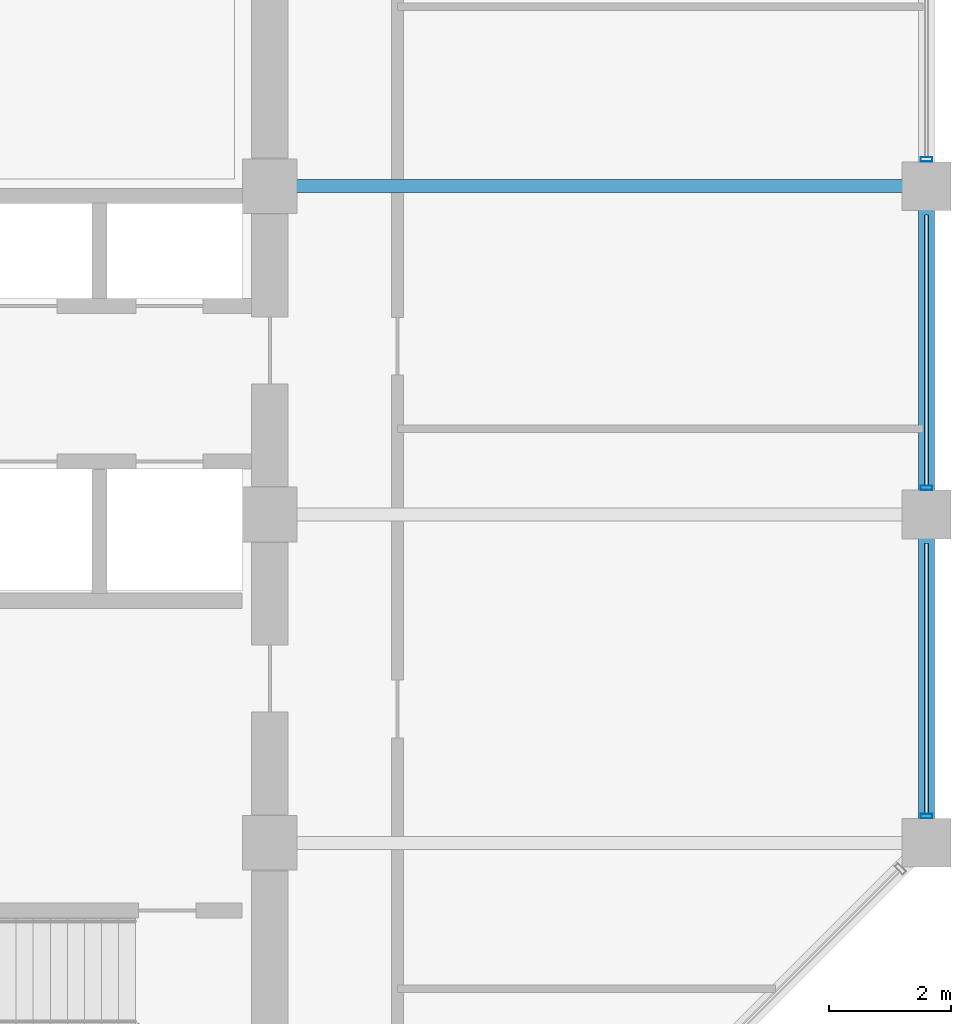
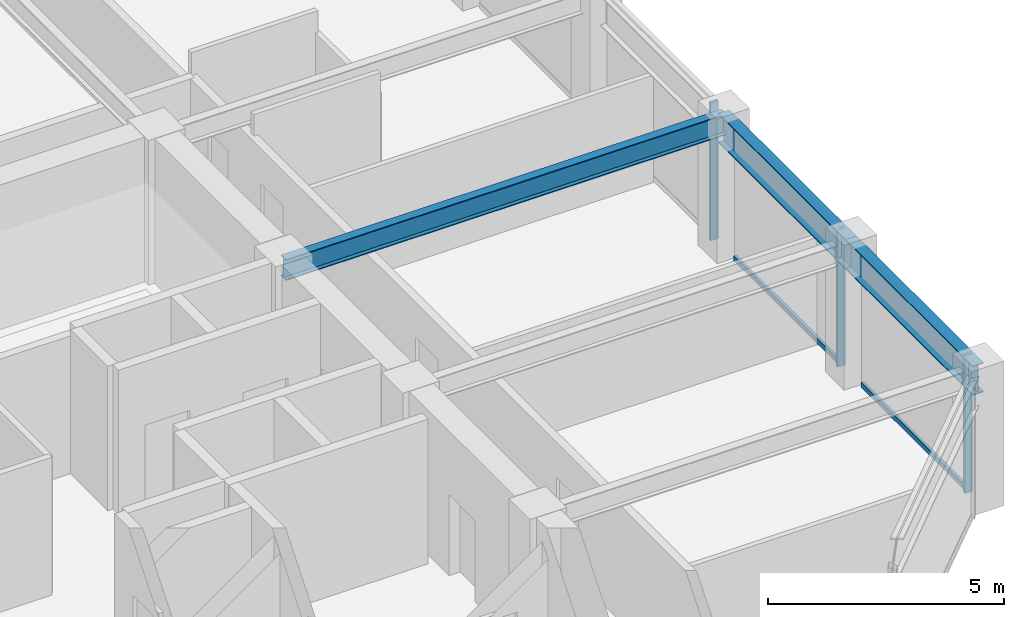
# One storey, part 14 of 32: 5 members, 3 beams, 1 element without a shape of its own.
"""IFC4 building model written with IfcOpenShell, lengths in metres."""

from ifc_helpers import new_model, si_unit, direction, frame, origin, origin_2d, place, context, subcontext, project, spatial, hollow_rectangle, i_section, extrude, material, layer, layer_set, material_profile, profile_set, type_object, element, aggregate, save


model = new_model("IFC4")

# Units and contexts
model_context = context("Model", 3, precision=1e-05, world=origin(), true_north=direction((0.0, 1.0)))
body_context = subcontext(model_context, "Body", "Model", "MODEL_VIEW")
ifc_project = project(units=[si_unit("LENGTHUNIT", "METRE"), si_unit("AREAUNIT", "SQUARE_METRE"), si_unit("VOLUMEUNIT", "CUBIC_METRE"), si_unit("PLANEANGLEUNIT", "RADIAN"), si_unit("MASSUNIT", "GRAM", prefix="KILO")], contexts=[model_context])

# Site, building, storey
site_placement = place(None, origin())
site = spatial("IfcSite", under=ifc_project, at=site_placement, CompositionType="ELEMENT")
building_placement = place(site_placement, origin())
building = spatial("IfcBuilding", under=site, at=building_placement, Name="Surkhivell Harbour Commons", CompositionType="ELEMENT")
storey_placement = place(building_placement, frame((0.0, 0.0, 223.5)))
storey = spatial("IfcBuildingStorey", under=building, at=storey_placement, Name="L58", CompositionType="ELEMENT", Elevation=223.5)

# Beams
ifc_material_1 = material(Name="Steel S355", Category="steel")
ifc_material_profile_1 = material_profile(ifc_material_1, i_section(OverallWidth=0.2119140625, OverallDepth=0.5439453125, WebThickness=0.0126953125, FlangeThickness=0.021240234375, at=origin_2d()), Name="UB533x210x122")
ifc_profile_set_1 = profile_set([ifc_material_profile_1], Name="Steel S355")
beam_type_1 = type_object("IfcBeamType", Name="BM-GRD-533A", PredefinedType="BEAM", material=ifc_profile_set_1)
beam_placement = place(storey_placement, frame((10.800048828125, 5.39990234375, 3.298095703125), z_axis=(1.0, 0.0, 0.0), x_axis=(0.0, 1.0, 0.0)))
element("IfcBeam", 1, at=beam_placement, inside=storey, type_object=beam_type_1, Name="L58 Floor Girder (10.8,5.4)", PredefinedType="BEAM", context=body_context, shape_type="SweptSolid", body=[
    extrude(i_section(OverallWidth=0.2119140625, OverallDepth=0.5439453125, WebThickness=0.0126953125, FlangeThickness=0.021240234375, at=origin_2d()), origin(), (0.0, 0.0, 1.0), 10.800048828125),
])
ifc_material_profile_2 = material_profile(ifc_material_1, i_section(OverallWidth=0.26806640625, OverallDepth=0.77001953125, WebThickness=0.015625, FlangeThickness=0.025390625, at=origin_2d()), Name="UB762x267x197")
ifc_profile_set_2 = profile_set([ifc_material_profile_2], Name="Steel S355")
beam_type_2 = type_object("IfcBeamType", Name="BM-SPN-762", PredefinedType="SPANDREL", material=ifc_profile_set_2)
for number, where, z_axis, x_axis, name in (
    (2, (21.60009765625, -5.39990234375, 3.18505859375), (0.0, 1.0, 0.0), (-1.0, 0.0, 0.0), "L58 Tube Spandrel (21.6,-5.4)"),
    (3, (21.60009765625, 0.0, 3.18505859375), (0.0, 1.0, 0.0), (-1.0, 0.0, 0.0), "L58 Tube Spandrel (21.6,0.0)"),
):
    element("IfcBeam", number, at=place(storey_placement, frame(where, z_axis=z_axis, x_axis=x_axis)), inside=storey, type_object=beam_type_2, Name=name, PredefinedType="SPANDREL", context=body_context, shape_type="SweptSolid", body=[
        extrude(i_section(OverallWidth=0.26806640625, OverallDepth=0.77001953125, WebThickness=0.015625, FlangeThickness=0.025390625, at=origin_2d()), origin(), (0.0, 0.0, 1.0), 5.39990234375),
    ])

# Curtain wall, members
ifc_material_2 = material(Name="Anodised pale-metal aluminium and insulated glazing", Category="aluminium")
ifc_layer = layer(ifc_material_2, 0.18994140625)
ifc_layer_set = layer_set([ifc_layer], Name="Anodised pale-metal aluminium and insulated glazing")
curtain_wall_type = type_object("IfcCurtainWallType", Name="CW-SYS-Z3", PredefinedType="NOTDEFINED", material=ifc_layer_set)
curtain_wall_placement = place(storey_placement, origin())
curtain_wall = element("IfcCurtainWall", 4, at=curtain_wall_placement, inside=storey, type_object=curtain_wall_type, Name="L58 Curtain Wall CW-L58-E02", PredefinedType="NOTDEFINED")
ifc_material_3 = material(Name="Anodised pale-metal aluminium alloy 6063-T6", Category="aluminium")
ifc_material_profile_3 = material_profile(ifc_material_3, hollow_rectangle(XDim=0.074951171875, YDim=0.18994140625, WallThickness=0.00390625, at=origin_2d()), Name="ALU-MULL-75x190")
ifc_profile_set_3 = profile_set([ifc_material_profile_3], Name="Anodised pale-metal aluminium alloy 6063-T6")
member_type_1 = type_object("IfcMemberType", Name="CWM-190", PredefinedType="MULLION", material=ifc_profile_set_3)
member_1_placement = place(storey_placement, frame((21.60009765625, -4.96044921875, 0.0), z_axis=(0.0, 0.0, 1.0), x_axis=(0.0, 1.0, 0.0)))
member_1 = element("IfcMember", 5, at=member_1_placement, type_object=member_type_1, Name="CW-Z3 mullion 1", PredefinedType="MULLION", context=body_context, shape_type="SweptSolid", body=[
    extrude(hollow_rectangle(XDim=0.074951171875, YDim=0.18994140625, WallThickness=0.00390625, at=origin_2d()), origin(), (0.0, 0.0, 1.0), 3.570068359375),
])
member_2_placement = place(storey_placement, frame((21.60009765625, 0.439453125, 0.0), z_axis=(0.0, 0.0, 1.0), x_axis=(0.0, 1.0, 0.0)))
member_2 = element("IfcMember", 6, at=member_2_placement, type_object=member_type_1, Name="CW-Z3 mullion 2", PredefinedType="MULLION", context=body_context, shape_type="SweptSolid", body=[
    extrude(hollow_rectangle(XDim=0.074951171875, YDim=0.18994140625, WallThickness=0.00390625, at=origin_2d()), origin(), (0.0, 0.0, 1.0), 3.570068359375),
])
member_3_placement = place(storey_placement, frame((21.60009765625, 5.839599609375, 0.0), z_axis=(0.0, 0.0, 1.0), x_axis=(0.0, 1.0, 0.0)))
member_3 = element("IfcMember", 7, at=member_3_placement, type_object=member_type_1, Name="CW-Z3 mullion 3", PredefinedType="MULLION", context=body_context, shape_type="SweptSolid", body=[
    extrude(hollow_rectangle(XDim=0.074951171875, YDim=0.18994140625, WallThickness=0.00390625, at=origin_2d()), origin(), (0.0, 0.0, 1.0), 3.570068359375),
])
ifc_material_4 = material(Name="Champagne anodised aluminium alloy 6063-T6", Category="aluminium")
ifc_material_profile_4 = material_profile(ifc_material_4, hollow_rectangle(XDim=0.070068359375, YDim=0.1298828125, WallThickness=0.00341796875, at=origin_2d()), Name="ALU-TRAN-70x130")
ifc_profile_set_4 = profile_set([ifc_material_profile_4], Name="Champagne anodised aluminium alloy 6063-T6")
member_type_2 = type_object("IfcMemberType", Name="CWT-130", PredefinedType="USERDEFINED", material=ifc_profile_set_4)
member_4_placement = place(storey_placement, frame((21.60009765625, -4.923095703125, 0.06494140625), z_axis=(0.0, 1.0, 0.0), x_axis=(-1.0, 0.0, 0.0)))
member_4 = element("IfcMember", 8, at=member_4_placement, type_object=member_type_2, Name="CW-Z3 transom 1.1", ObjectType="TRANSOM", PredefinedType="USERDEFINED", context=body_context, shape_type="SweptSolid", body=[
    extrude(hollow_rectangle(XDim=0.070068359375, YDim=0.1298828125, WallThickness=0.00341796875, at=origin_2d()), origin(), (0.0, 0.0, 1.0), 4.446044921875),
])
member_5_placement = place(storey_placement, frame((21.60009765625, 0.47705078125, 0.06494140625), z_axis=(0.0, 1.0, 0.0), x_axis=(-1.0, 0.0, 0.0)))
member_5 = element("IfcMember", 9, at=member_5_placement, type_object=member_type_2, Name="CW-Z3 transom 2.1", ObjectType="TRANSOM", PredefinedType="USERDEFINED", context=body_context, shape_type="SweptSolid", body=[
    extrude(hollow_rectangle(XDim=0.070068359375, YDim=0.1298828125, WallThickness=0.00341796875, at=origin_2d()), origin(), (0.0, 0.0, 1.0), 4.446044921875),
])
aggregate(curtain_wall, [member_1, member_4, member_2, member_5, member_3])

save(model, "model.ifc")
